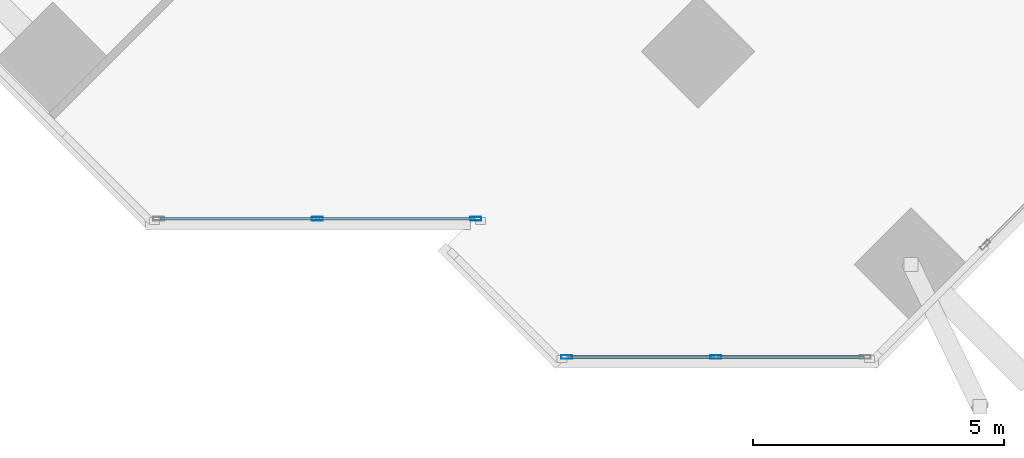
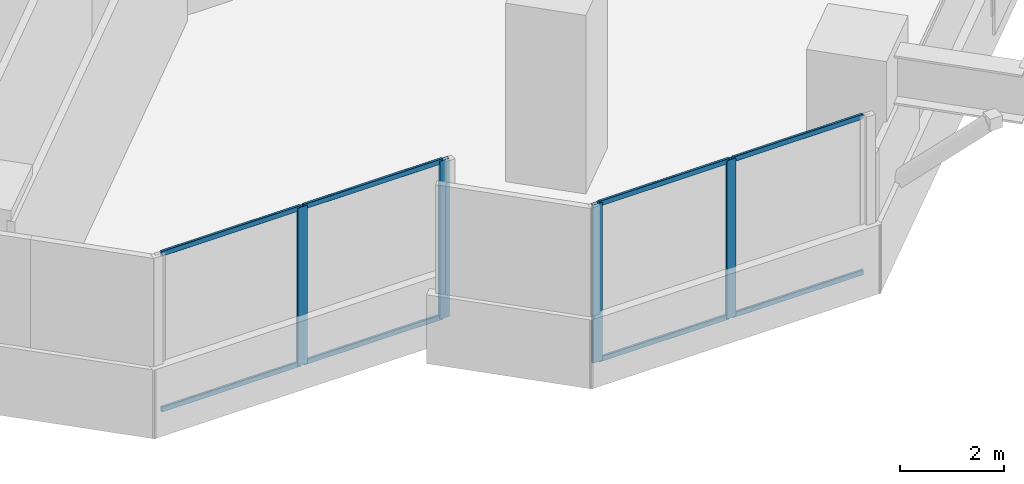
# One storey, part 3 of 17: 12 members, 2 elements without a shape of their own.
"""IFC4 building model written with IfcOpenShell, lengths in metres."""

from ifc_helpers import new_model, si_unit, direction, frame, origin, origin_2d, place, context, subcontext, project, spatial, hollow_rectangle, extrude, source, transform, mapped, material, material_profile, profile_set, type_object, element, aggregate, save


model = new_model("IFC4")

# Units and contexts
model_context = context("Model", 3, precision=1e-05, world=origin(), true_north=direction((0.0, 1.0)))
body_context = subcontext(model_context, "Body", "Model", "MODEL_VIEW")
ifc_project = project(units=[si_unit("LENGTHUNIT", "METRE"), si_unit("AREAUNIT", "SQUARE_METRE"), si_unit("VOLUMEUNIT", "CUBIC_METRE"), si_unit("PLANEANGLEUNIT", "RADIAN"), si_unit("MASSUNIT", "GRAM", prefix="KILO")], contexts=[model_context])

# Site, building, storey
site_placement = place(None, origin())
site = spatial("IfcSite", under=ifc_project, at=site_placement, CompositionType="ELEMENT")
building_placement = place(site_placement, origin())
building = spatial("IfcBuilding", under=site, at=building_placement, Name="Torre Montelarca", CompositionType="ELEMENT")
storey_placement = place(building_placement, frame((0.0, 0.0, 250.0)))
storey = spatial("IfcBuildingStorey", under=building, at=storey_placement, Name="L56", CompositionType="ELEMENT", Elevation=250.0)

# Curtain wall, members
ifc_material_1 = material(Name="Insulated low-E laminated glass", Category="glass")
curtain_wall_type = type_object("IfcCurtainWallType", Name="CW-SYS-Z3", PredefinedType="USERDEFINED", material=ifc_material_1)
curtain_wall_1_placement = place(storey_placement, origin())
curtain_wall_1 = element("IfcCurtainWall", 1, at=curtain_wall_1_placement, inside=storey, type_object=curtain_wall_type, Name="L56 Curtain Wall Run CW-T3-L56-E02-B1", ObjectType="UNITISED GLAZING", PredefinedType="USERDEFINED")
ifc_material_2 = material(Name="Anodised aluminium AA 6063-T6", Category="aluminium")
ifc_material_profile_1 = material_profile(ifc_material_2, hollow_rectangle(XDim=0.054931640625, YDim=0.1201171875, WallThickness=0.00341796875, InnerFilletRadius=0.00341796875, OuterFilletRadius=0.007080078125, at=origin_2d()), Name="ALU55X120X3.5", Category="aluminium")
ifc_profile_set_1 = profile_set([ifc_material_profile_1], Name="Anodised aluminium AA 6063-T6")
member_type_1 = type_object("IfcMemberType", Name="CWT-ALU120", PredefinedType="USERDEFINED", material=ifc_profile_set_1)
shared_shape_1 = source(origin(), body_context, "Body", "SweptSolid", [
    extrude(hollow_rectangle(XDim=0.054931640625, YDim=0.1201171875, WallThickness=0.00341796875, InnerFilletRadius=0.00341796875, OuterFilletRadius=0.007080078125, at=origin_2d()), origin(), (0.0, 0.0, 1.0), 3.08740234375),
])
member_1_placement = place(storey_placement, frame((18.539306640625, 12.75537109375, 0.027587890625), z_axis=(1.0, 0.0, 0.0), x_axis=(0.0, 1.0, 0.0)))
member_1 = element("IfcMember", 2, at=member_1_placement, type_object=member_type_1, Name="CW transom 2.1", ObjectType="TRANSOM", PredefinedType="USERDEFINED", context=body_context, shape_type="MappedRepresentation", body=[
    mapped(shared_shape_1, transform((0.0, 0.0, 0.0), scale=1.0)),
])
member_2_placement = place(storey_placement, frame((18.539306640625, 12.75537109375, 3.6923828125), z_axis=(1.0, 0.0, 0.0), x_axis=(0.0, 1.0, 0.0)))
member_2 = element("IfcMember", 3, at=member_2_placement, type_object=member_type_1, Name="CW transom 2.2", ObjectType="TRANSOM", PredefinedType="USERDEFINED", context=body_context, shape_type="MappedRepresentation", body=[
    mapped(shared_shape_1, transform((0.0, 0.0, 0.0), scale=1.0)),
])

curtain_wall_2_placement = place(storey_placement, origin())
curtain_wall_2 = element("IfcCurtainWall", 4, at=curtain_wall_2_placement, inside=storey, type_object=curtain_wall_type, Name="L56 Curtain Wall Run CW-T3-L56-E05-B1", ObjectType="UNITISED GLAZING", PredefinedType="USERDEFINED")
shared_shape_2 = source(origin(), body_context, "Body", "SweptSolid", [
    extrude(hollow_rectangle(XDim=0.054931640625, YDim=0.1201171875, WallThickness=0.00341796875, InnerFilletRadius=0.00341796875, OuterFilletRadius=0.007080078125, at=origin_2d()), origin(), (0.0, 0.0, 1.0), 2.903564453125),
])
member_3_placement = place(storey_placement, frame((26.4873046875, 9.99755859375, 0.027587890625), z_axis=(1.0, 0.0, 0.0), x_axis=(0.0, 1.0, 0.0)))
member_3 = element("IfcMember", 5, at=member_3_placement, type_object=member_type_1, Name="CW transom 2.1", ObjectType="TRANSOM", PredefinedType="USERDEFINED", context=body_context, shape_type="MappedRepresentation", body=[
    mapped(shared_shape_2, transform((0.0, 0.0, 0.0), scale=1.0)),
])
member_4_placement = place(storey_placement, frame((26.4873046875, 9.99755859375, 3.6923828125), z_axis=(1.0, 0.0, 0.0), x_axis=(0.0, 1.0, 0.0)))
member_4 = element("IfcMember", 6, at=member_4_placement, type_object=member_type_1, Name="CW transom 2.2", ObjectType="TRANSOM", PredefinedType="USERDEFINED", context=body_context, shape_type="MappedRepresentation", body=[
    mapped(shared_shape_2, transform((0.0, 0.0, 0.0), scale=1.0)),
])

# Member
ifc_material_profile_2 = material_profile(ifc_material_2, hollow_rectangle(XDim=0.074951171875, YDim=0.219970703125, WallThickness=0.0048828125, InnerFilletRadius=0.0048828125, OuterFilletRadius=0.010009765625, at=origin_2d()), Name="ALU75X220X5", Category="aluminium")
ifc_profile_set_2 = profile_set([ifc_material_profile_2], Name="Anodised aluminium AA 6063-T6")
member_type_2 = type_object("IfcMemberType", Name="CWM-ALU220", PredefinedType="MULLION", material=ifc_profile_set_2)
shared_shape_3 = source(origin(), body_context, "Body", "SweptSolid", [
    extrude(hollow_rectangle(XDim=0.074951171875, YDim=0.219970703125, WallThickness=0.0048828125, InnerFilletRadius=0.0048828125, OuterFilletRadius=0.010009765625, at=origin_2d()), origin(), (0.0, 0.0, 1.0), 3.719970703125),
])
member_5_placement = place(storey_placement, frame((18.501708984375, 12.75537109375, 0.0), z_axis=(0.0, 0.0, 1.0), x_axis=(0.0, 1.0, 0.0)))
member_5 = element("IfcMember", 7, at=member_5_placement, type_object=member_type_2, Name="CW mullion 2", PredefinedType="MULLION", context=body_context, shape_type="MappedRepresentation", body=[
    mapped(shared_shape_3, transform((0.0, 0.0, 0.0), scale=1.0)),
])

member_6_placement = place(storey_placement, frame((21.664306640625, 12.75537109375, 0.0), z_axis=(0.0, 0.0, 1.0), x_axis=(0.0, 1.0, 0.0)))
member_6 = element("IfcMember", 8, at=member_6_placement, type_object=member_type_2, Name="CW mullion 3", PredefinedType="MULLION", context=body_context, shape_type="MappedRepresentation", body=[
    mapped(shared_shape_3, transform((0.0, 0.0, 0.0), scale=1.0)),
])

member_7_placement = place(storey_placement, frame((23.47119140625, 9.99755859375, 0.0), z_axis=(0.0, 0.0, 1.0), x_axis=(0.0, 1.0, 0.0)))
member_7 = element("IfcMember", 9, at=member_7_placement, type_object=member_type_2, Name="CW mullion 1", PredefinedType="MULLION", context=body_context, shape_type="MappedRepresentation", body=[
    mapped(shared_shape_3, transform((0.0, 0.0, 0.0), scale=1.0)),
])

member_8_placement = place(storey_placement, frame((26.44970703125, 9.99755859375, 0.0), z_axis=(0.0, 0.0, 1.0), x_axis=(0.0, 1.0, 0.0)))
member_8 = element("IfcMember", 10, at=member_8_placement, type_object=member_type_2, Name="CW mullion 2", PredefinedType="MULLION", context=body_context, shape_type="MappedRepresentation", body=[
    mapped(shared_shape_3, transform((0.0, 0.0, 0.0), scale=1.0)),
])

shared_shape_4 = source(origin(), body_context, "Body", "SweptSolid", [
    extrude(hollow_rectangle(XDim=0.054931640625, YDim=0.1201171875, WallThickness=0.00341796875, InnerFilletRadius=0.00341796875, OuterFilletRadius=0.007080078125, at=origin_2d()), origin(), (0.0, 0.0, 1.0), 3.087646484375),
])
member_9_placement = place(storey_placement, frame((15.376708984375, 12.75537109375, 0.027587890625), z_axis=(1.0, 0.0, 0.0), x_axis=(0.0, 1.0, 0.0)))
member_9 = element("IfcMember", 11, at=member_9_placement, type_object=member_type_1, Name="CW transom 1.1", ObjectType="TRANSOM", PredefinedType="USERDEFINED", context=body_context, shape_type="MappedRepresentation", body=[
    mapped(shared_shape_4, transform((0.0, 0.0, 0.0), scale=1.0)),
])

member_10_placement = place(storey_placement, frame((15.376708984375, 12.75537109375, 3.6923828125), z_axis=(1.0, 0.0, 0.0), x_axis=(0.0, 1.0, 0.0)))
member_10 = element("IfcMember", 12, at=member_10_placement, type_object=member_type_1, Name="CW transom 1.2", ObjectType="TRANSOM", PredefinedType="USERDEFINED", context=body_context, shape_type="MappedRepresentation", body=[
    mapped(shared_shape_4, transform((0.0, 0.0, 0.0), scale=1.0)),
])

aggregate(curtain_wall_1, [member_5, member_6, member_9, member_10, member_1, member_2])

shared_shape_5 = source(origin(), body_context, "Body", "SweptSolid", [
    extrude(hollow_rectangle(XDim=0.054931640625, YDim=0.1201171875, WallThickness=0.00341796875, InnerFilletRadius=0.00341796875, OuterFilletRadius=0.007080078125, at=origin_2d()), origin(), (0.0, 0.0, 1.0), 2.90380859375),
])
member_11_placement = place(storey_placement, frame((23.508544921875, 9.99755859375, 0.027587890625), z_axis=(1.0, 0.0, 0.0), x_axis=(0.0, 1.0, 0.0)))
member_11 = element("IfcMember", 13, at=member_11_placement, type_object=member_type_1, Name="CW transom 1.1", ObjectType="TRANSOM", PredefinedType="USERDEFINED", context=body_context, shape_type="MappedRepresentation", body=[
    mapped(shared_shape_5, transform((0.0, 0.0, 0.0), scale=1.0)),
])

member_12_placement = place(storey_placement, frame((23.508544921875, 9.99755859375, 3.6923828125), z_axis=(1.0, 0.0, 0.0), x_axis=(0.0, 1.0, 0.0)))
member_12 = element("IfcMember", 14, at=member_12_placement, type_object=member_type_1, Name="CW transom 1.2", ObjectType="TRANSOM", PredefinedType="USERDEFINED", context=body_context, shape_type="MappedRepresentation", body=[
    mapped(shared_shape_5, transform((0.0, 0.0, 0.0), scale=1.0)),
])

aggregate(curtain_wall_2, [member_7, member_8, member_11, member_12, member_3, member_4])

save(model, "model.ifc")
